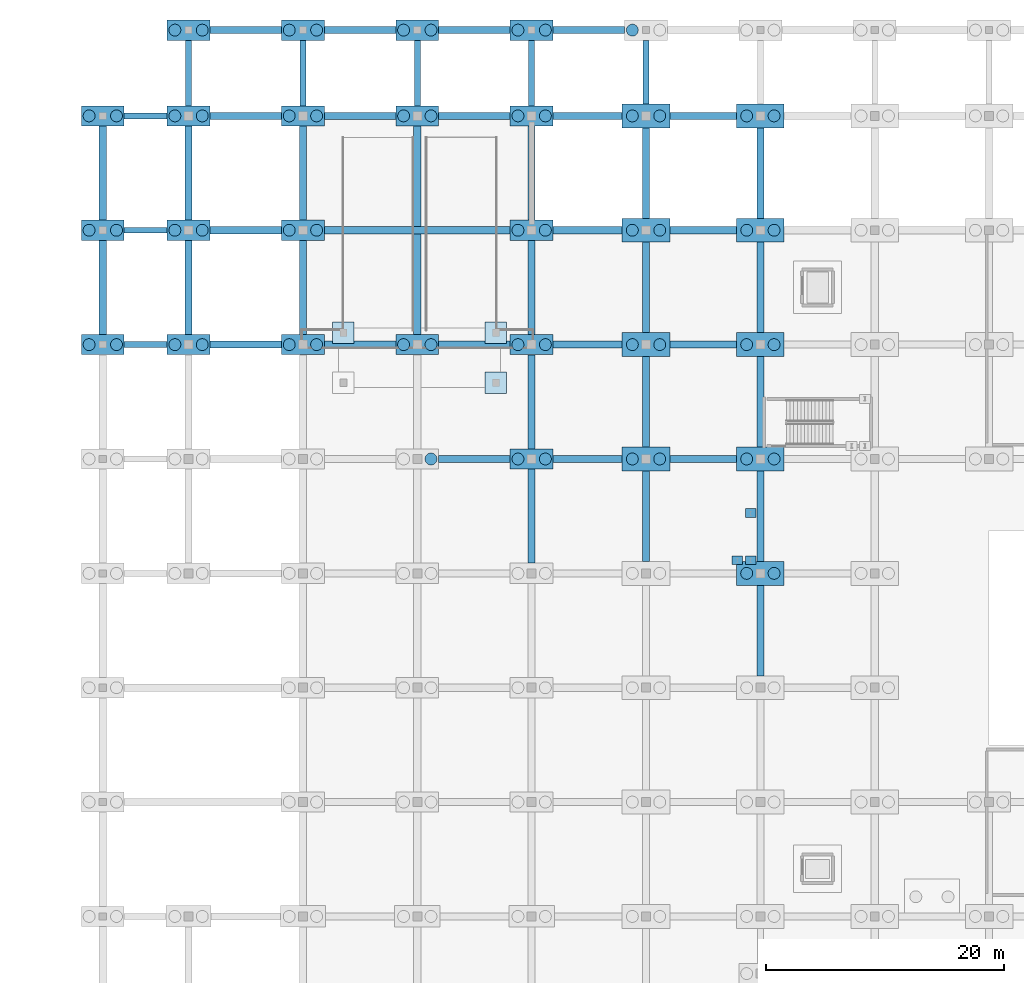
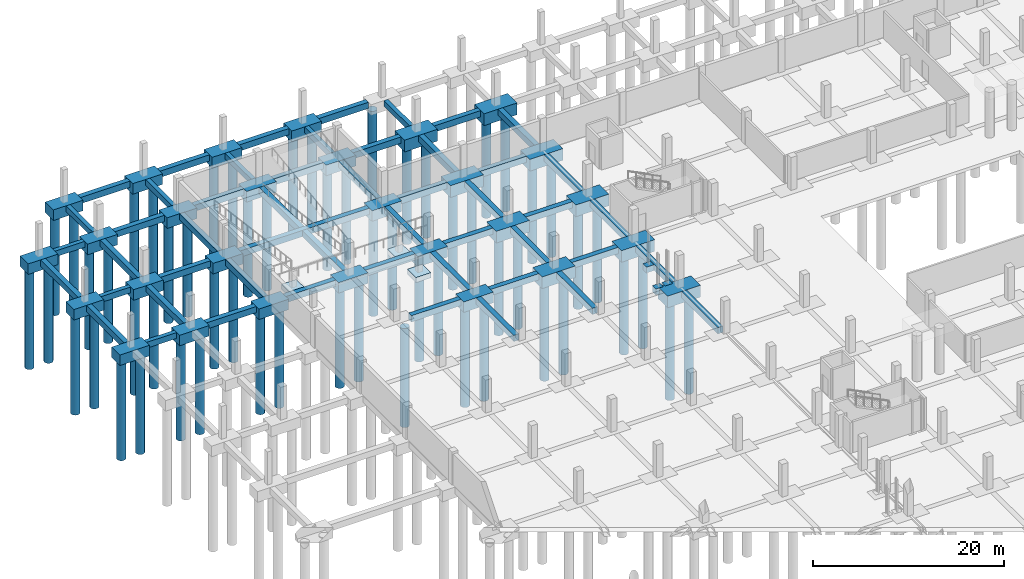
# One storey, part 6 of 54: 83 footings, 58 piles.
"""IFC4 building model written with IfcOpenShell, lengths in metres."""

import ifcopenshell
import ifcopenshell.guid

model = None  # the IFC model being written
_history = None  # IfcOwnerHistory: only IFC2X3 demands one
_inside = {}  # id of a spatial element -> (the spatial element, [elements in it])
_under = {}  # id of a project, library or spatial element -> (it, [spatial elements below it])
_declared = {}  # id of a project -> (the project, [libraries it declares])
_typed = {}  # id of a type object -> (the type object, [elements of that type])
_made_of = {}  # id of a material, layer set ... -> (it, [elements and type objects made of it])


def new_model(schema):
    """Start an empty IFC model of exactly this schema.

    Asked for "IFC4X3", IfcOpenShell would pick the latest addendum, in which some entities
    have other attributes; the version numbers below select the first issue.
    IFC2X3 requires an IfcOwnerHistory on every rooted entity: one is made here for all.
    """
    global model, _history
    if schema == "IFC4X3":
        model = ifcopenshell.file(schema_version=(4, 3, 0, 0))
    else:
        model = ifcopenshell.file(schema=schema)
    _inside.clear()
    _under.clear()
    _declared.clear()
    _typed.clear()
    _made_of.clear()
    _history = None
    if model.schema == "IFC2X3":
        org = make("IfcOrganization", Name="unknown")
        user = make(
            "IfcPersonAndOrganization",
            ThePerson=make("IfcPerson", FamilyName="unknown"),
            TheOrganization=org,
        )
        app = make(
            "IfcApplication",
            ApplicationDeveloper=org,
            Version="unknown",
            ApplicationFullName="unknown",
            ApplicationIdentifier="unknown",
        )
        _history = make(
            "IfcOwnerHistory",
            OwningUser=user,
            OwningApplication=app,
            ChangeAction="ADDED",
            CreationDate=0,
        )
    return model


def make(cls, **values):
    """One entity of the class cls with the attributes given. An attribute that is None is left unset."""
    return model.create_entity(
        cls, **{name: value for name, value in values.items() if value is not None}
    )


def rooted(cls, **values):
    """An entity with a GlobalId (a new one), such as an element, a storey or a relation."""
    return make(cls, GlobalId=ifcopenshell.guid.new(), OwnerHistory=_history, **values)


def si_unit(unit_type, name, prefix=None):
    """IfcSIUnit, for example si_unit("LENGTHUNIT", "METRE", prefix="MILLI")."""
    return make("IfcSIUnit", UnitType=unit_type, Prefix=prefix, Name=name)


def assignment(units):
    """IfcUnitAssignment: the units of a project."""
    return None if units is None else make("IfcUnitAssignment", Units=units)


def point(xyz):
    """IfcCartesianPoint."""
    return None if xyz is None else make("IfcCartesianPoint", Coordinates=xyz)


def direction(xyz):
    """IfcDirection."""
    return None if xyz is None else make("IfcDirection", DirectionRatios=xyz)


def frame(location, z_axis=None, x_axis=None):
    """IfcAxis2Placement3D, a coordinate frame: its origin and axes. An axis left out is left unset."""
    return make(
        "IfcAxis2Placement3D",
        Location=point(location),
        Axis=direction(z_axis),
        RefDirection=direction(x_axis),
    )


def frame_2d(location, x_axis=None):
    """IfcAxis2Placement2D, a coordinate frame in the plane: its origin and x axis."""
    return make(
        "IfcAxis2Placement2D", Location=point(location), RefDirection=direction(x_axis)
    )


def origin():
    """The frame at (0, 0, 0) with its axes left unset."""
    return frame((0.0, 0.0, 0.0))


def origin_2d():
    """The frame at (0, 0) in the plane with its x axis left unset."""
    return frame_2d((0.0, 0.0))


def place(relative_to, where):
    """IfcLocalPlacement: puts the frame where relative to a parent placement (None: the world)."""
    return make(
        "IfcLocalPlacement", PlacementRelTo=relative_to, RelativePlacement=where
    )


def context(
    kind, dimensions, precision=None, world=None, true_north=None, identifier=None
):
    """IfcGeometricRepresentationContext, for example the 3D "Model" context."""
    return make(
        "IfcGeometricRepresentationContext",
        ContextIdentifier=identifier,
        ContextType=kind,
        CoordinateSpaceDimension=dimensions,
        Precision=precision,
        WorldCoordinateSystem=world,
        TrueNorth=true_north,
    )


def subcontext(parent, identifier, kind, view, scale=None):
    """IfcGeometricRepresentationSubContext, for example "Body" below "Model"."""
    return make(
        "IfcGeometricRepresentationSubContext",
        ContextIdentifier=identifier,
        ContextType=kind,
        ParentContext=parent,
        TargetScale=scale,
        TargetView=view,
    )


def project(units=None, contexts=None):
    """IfcProject with its units and contexts."""
    return rooted(
        "IfcProject",
        Name="project",
        RepresentationContexts=contexts,
        UnitsInContext=assignment(units),
    )


def spatial(cls, under=None, at=None, **own):
    """A site, building, storey or space (cls), placed at a placement, below another one or the project."""
    s = rooted(cls, ObjectPlacement=at, **own)
    if under is not None:
        _under.setdefault(under.id(), (under, []))[1].append(s)
    return s


def profile(cls, at=None, kind="AREA", **sizes):
    """A parametric profile (cls). Its sizes go by their IFC names, for example OverallWidth=200.0."""
    return make(cls, ProfileType=kind, Position=at, **sizes)


def rectangle(**sizes):
    """IfcRectangleProfileDef."""
    return profile("IfcRectangleProfileDef", **sizes)


def circle(**sizes):
    """IfcCircleProfileDef."""
    return profile("IfcCircleProfileDef", **sizes)


def extrude(swept, where, along, depth):
    """IfcExtrudedAreaSolid: the profile swept, set in the frame where, extruded along a direction by depth."""
    return make(
        "IfcExtrudedAreaSolid",
        SweptArea=swept,
        Position=where,
        ExtrudedDirection=direction(along),
        Depth=depth,
    )


def shape(context_of_items, identifier, shape_type, items):
    """IfcShapeRepresentation: the items that make up one representation, for example the "Body"."""
    return make(
        "IfcShapeRepresentation",
        ContextOfItems=context_of_items,
        RepresentationIdentifier=identifier,
        RepresentationType=shape_type,
        Items=items,
    )


def material(Name=None, Category=None):
    """IfcMaterial."""
    return make("IfcMaterial", Name=Name, Category=Category)


def material_profile(
    of_material, cross_section, Name=None, Category=None, Priority=None
):
    """IfcMaterialProfile: a cross section and its material."""
    return make(
        "IfcMaterialProfile",
        Name=Name,
        Material=of_material,
        Profile=cross_section,
        Priority=Priority,
        Category=Category,
    )


def profile_set(profiles, Name=None, composite=None):
    """IfcMaterialProfileSet."""
    return make(
        "IfcMaterialProfileSet",
        Name=Name,
        MaterialProfiles=profiles,
        CompositeProfile=composite,
    )


def made_of(thing, what):
    """Note that an element or type object is made of a material, layer set ...; save() writes the relation."""
    if what is not None:
        _made_of.setdefault(what.id(), (what, []))[1].append(thing)
    return thing


def type_object(cls, material=None, **own):
    """A type object (cls), such as IfcWallType, which elements share."""
    return made_of(rooted(cls, **own), material)


def element(
    cls,
    number,
    at=None,
    inside=None,
    cuts=None,
    type_object=None,
    material=None,
    context=None,
    identifier="Body",
    shape_type=None,
    held_by="IfcProductDefinitionShape",
    body=None,
    shapes=None,
    **own,
):
    """One element of the class cls, such as IfcWall. Its Tag is "e" and its number.

    at: its placement. inside: the storey or other place that contains it. cuts: it is an
    opening in that element (IfcRelVoidsElement). A single representation is given by context,
    identifier, shape_type and body (its items); several are given by shapes. held_by: the class
    of the entity that holds the representations. save() writes the other relations.
    """
    e = rooted(cls, Tag="e%d" % number, ObjectPlacement=at, **own)
    if body is not None:
        shapes = [shape(context, identifier, shape_type, body)]
    if shapes is not None:
        e.Representation = make(held_by, Representations=shapes)
    if inside is not None:
        _inside.setdefault(inside.id(), (inside, []))[1].append(e)
    if cuts is not None:
        rooted(
            "IfcRelVoidsElement", RelatingBuildingElement=cuts, RelatedOpeningElement=e
        )
    if type_object is not None:
        _typed.setdefault(type_object.id(), (type_object, []))[1].append(e)
    return made_of(e, material)


def aggregate(whole, parts):
    """IfcRelAggregates: a whole, such as a stair, and the parts it consists of."""
    return rooted("IfcRelAggregates", RelatingObject=whole, RelatedObjects=parts)


def save(model, path):
    """Write the relations noted so far, then the file.

    IfcRelAggregates (storeys below a building ...), IfcRelContainedInSpatialStructure (elements
    in a storey), IfcRelDefinesByType, IfcRelAssociatesMaterial and IfcRelDeclares: one each for
    every whole, place, type object, material and project.
    """
    for whole, parts in _under.values():
        aggregate(whole, parts)
    for where, things in _inside.values():
        rooted(
            "IfcRelContainedInSpatialStructure",
            RelatedElements=things,
            RelatingStructure=where,
        )
    for kind, things in _typed.values():
        rooted("IfcRelDefinesByType", RelatedObjects=things, RelatingType=kind)
    for what, things in _made_of.values():
        rooted("IfcRelAssociatesMaterial", RelatedObjects=things, RelatingMaterial=what)
    for by, libraries in _declared.values():
        rooted("IfcRelDeclares", RelatingContext=by, RelatedDefinitions=libraries)
    model.write(path)


model = new_model("IFC4")

# Units and contexts
model_context = context("Model", 3, precision=1e-05, world=origin(), true_north=direction((0.0, 1.0)))
body_context = subcontext(model_context, "Body", "Model", "MODEL_VIEW")
ifc_project = project(units=[si_unit("LENGTHUNIT", "METRE"), si_unit("AREAUNIT", "SQUARE_METRE"), si_unit("VOLUMEUNIT", "CUBIC_METRE"), si_unit("PLANEANGLEUNIT", "RADIAN"), si_unit("MASSUNIT", "GRAM", prefix="KILO")], contexts=[model_context])

# Site, building, storey
site_placement = place(None, origin())
site = spatial("IfcSite", under=ifc_project, at=site_placement, CompositionType="ELEMENT")
building_placement = place(site_placement, origin())
building = spatial("IfcBuilding", under=site, at=building_placement, Name="Zevrakil Square Congress Hotel", CompositionType="ELEMENT")
storey_placement = place(building_placement, frame((0.0, 0.0, -8.39990234375)))
storey = spatial("IfcBuildingStorey", under=building, at=storey_placement, Name="B2", CompositionType="ELEMENT", Elevation=-8.39990234375)

# Footings
ifc_material_1 = material(Name="Concrete C35/45", Category="concrete")
footing_type_1 = type_object("IfcFootingType", Name="FTG-PAD-1800", PredefinedType="PAD_FOOTING", material=ifc_material_1)
for number, where, z_axis, x_axis, name in (
    (1, (33.0, 90.39990234375, -0.650146484375), (0.0, 0.0, 1.0), (1.0, 0.0, 0.0), "Vehicle ramp landing column footing 2"),
    (2, (20.199951171875, 94.60009765625, -0.650146484375), (0.0, 0.0, 1.0), (1.0, 0.0, 0.0), "Vehicle ramp landing column footing 3"),
    (3, (33.0, 94.60009765625, -0.650146484375), (0.0, 0.0, 1.0), (1.0, 0.0, 0.0), "Vehicle ramp landing column footing 4"),
):
    element("IfcFooting", number, at=place(storey_placement, frame(where, z_axis=z_axis, x_axis=x_axis)), inside=storey, type_object=footing_type_1, Name=name, PredefinedType="PAD_FOOTING", context=body_context, shape_type="SweptSolid", body=[
        extrude(rectangle(XDim=1.800048828125, YDim=1.800048828125, at=origin_2d()), origin(), (0.0, 0.0, 1.0), 0.64990234375),
    ])
ifc_material_2 = material(Name="Concrete C35/45", Category="concrete")
footing_type_2 = type_object("IfcFootingType", Name="FTG-PC2-360", PredefinedType="PILE_CAP", material=ifc_material_2)
for number, where, z_axis, x_axis, name in (
    (4, (0.0, 93.60009765625, -1.35009765625), (0.0, 0.0, 1.0), (1.0, 0.0, 0.0), "Pile cap PC2-011"),
    (5, (0.0, 103.199951171875, -1.35009765625), (0.0, 0.0, 1.0), (1.0, 0.0, 0.0), "Pile cap PC2-012"),
    (6, (0.0, 112.800048828125, -1.35009765625), (0.0, 0.0, 1.0), (1.0, 0.0, 0.0), "Pile cap PC2-013"),
    (7, (7.199951171875, 93.60009765625, -1.35009765625), (0.0, 0.0, 1.0), (1.0, 0.0, 0.0), "Pile cap PC2-024"),
    (8, (7.199951171875, 103.199951171875, -1.35009765625), (0.0, 0.0, 1.0), (1.0, 0.0, 0.0), "Pile cap PC2-025"),
    (9, (7.199951171875, 112.800048828125, -1.35009765625), (0.0, 0.0, 1.0), (1.0, 0.0, 0.0), "Pile cap PC2-026"),
    (10, (7.199951171875, 120.0, -1.35009765625), (0.0, 0.0, 1.0), (1.0, 0.0, 0.0), "Pile cap PC2-027"),
    (11, (16.800048828125, 93.60009765625, -1.35009765625), (0.0, 0.0, 1.0), (1.0, 0.0, 0.0), "Pile cap PC2-038"),
    (12, (16.800048828125, 103.199951171875, -1.35009765625), (0.0, 0.0, 1.0), (1.0, 0.0, 0.0), "Pile cap PC2-039"),
    (13, (16.800048828125, 112.800048828125, -1.35009765625), (0.0, 0.0, 1.0), (1.0, 0.0, 0.0), "Pile cap PC2-040"),
    (14, (16.800048828125, 120.0, -1.35009765625), (0.0, 0.0, 1.0), (1.0, 0.0, 0.0), "Pile cap PC2-041"),
    (15, (26.39990234375, 93.60009765625, -1.35009765625), (0.0, 0.0, 1.0), (1.0, 0.0, 0.0), "Pile cap PC2-052"),
    (16, (26.39990234375, 112.800048828125, -1.35009765625), (0.0, 0.0, 1.0), (1.0, 0.0, 0.0), "Pile cap PC2-054"),
    (17, (26.39990234375, 120.0, -1.35009765625), (0.0, 0.0, 1.0), (1.0, 0.0, 0.0), "Pile cap PC2-055"),
    (18, (36.0, 84.0, -1.35009765625), (0.0, 0.0, 1.0), (1.0, 0.0, 0.0), "Pile cap PC2-065"),
    (19, (36.0, 93.60009765625, -1.35009765625), (0.0, 0.0, 1.0), (1.0, 0.0, 0.0), "Pile cap PC2-066"),
    (20, (36.0, 103.199951171875, -1.35009765625), (0.0, 0.0, 1.0), (1.0, 0.0, 0.0), "Pile cap PC2-067"),
    (21, (36.0, 112.800048828125, -1.35009765625), (0.0, 0.0, 1.0), (1.0, 0.0, 0.0), "Pile cap PC2-068"),
    (22, (36.0, 120.0, -1.35009765625), (0.0, 0.0, 1.0), (1.0, 0.0, 0.0), "Pile cap PC2-069"),
):
    element("IfcFooting", number, at=place(storey_placement, frame(where, z_axis=z_axis, x_axis=x_axis)), inside=storey, type_object=footing_type_2, Name=name, PredefinedType="PILE_CAP", context=body_context, shape_type="SweptSolid", body=[
        extrude(rectangle(XDim=3.60009765625, YDim=1.699951171875, at=origin_2d()), origin(), (0.0, 0.0, 1.0), 1.35009765625),
    ])
ifc_material_3 = material(Name="Concrete C35/45", Category="concrete")
footing_type_3 = type_object("IfcFootingType", Name="FTG-PC2-400", PredefinedType="PILE_CAP", material=ifc_material_3)
for number, where, z_axis, x_axis, name in (
    (23, (45.60009765625, 84.0, -1.5), (0.0, 0.0, 1.0), (1.0, 0.0, 0.0), "Pile cap PC2-079"),
    (24, (45.60009765625, 93.60009765625, -1.5), (0.0, 0.0, 1.0), (1.0, 0.0, 0.0), "Pile cap PC2-080"),
    (25, (45.60009765625, 103.199951171875, -1.5), (0.0, 0.0, 1.0), (1.0, 0.0, 0.0), "Pile cap PC2-081"),
    (26, (45.60009765625, 112.800048828125, -1.5), (0.0, 0.0, 1.0), (1.0, 0.0, 0.0), "Pile cap PC2-082"),
    (27, (55.199951171875, 74.39990234375, -1.5), (0.0, 0.0, 1.0), (1.0, 0.0, 0.0), "Pile cap PC2-092"),
    (28, (55.199951171875, 84.0, -1.5), (0.0, 0.0, 1.0), (1.0, 0.0, 0.0), "Pile cap PC2-093"),
    (29, (55.199951171875, 93.60009765625, -1.5), (0.0, 0.0, 1.0), (1.0, 0.0, 0.0), "Pile cap PC2-094"),
    (30, (55.199951171875, 103.199951171875, -1.5), (0.0, 0.0, 1.0), (1.0, 0.0, 0.0), "Pile cap PC2-095"),
    (31, (55.199951171875, 112.800048828125, -1.5), (0.0, 0.0, 1.0), (1.0, 0.0, 0.0), "Pile cap PC2-096"),
):
    element("IfcFooting", number, at=place(storey_placement, frame(where, z_axis=z_axis, x_axis=x_axis)), inside=storey, type_object=footing_type_3, Name=name, PredefinedType="PILE_CAP", context=body_context, shape_type="SweptSolid", body=[
        extrude(rectangle(XDim=4.0, YDim=2.0, at=origin_2d()), origin(), (0.0, 0.0, 1.0), 1.5),
    ])
ifc_material_4 = material(Name="Concrete C35/45", Category="concrete")
ifc_material_profile_1 = material_profile(ifc_material_4, rectangle(XDim=0.75, YDim=0.75, at=origin_2d()), Name="RC 750x750")
ifc_profile_set_1 = profile_set([ifc_material_profile_1], Name="Concrete C35/45")
footing_type_4 = type_object("IfcFootingType", Name="FTG-STRIP-750", PredefinedType="STRIP_FOOTING", material=ifc_profile_set_1)
footing_1_placement = place(storey_placement, frame((52.800048828125, 75.5, -0.375), z_axis=(1.0, 0.0, 0.0), x_axis=(0.0, 1.0, 0.0)))
element("IfcFooting", 32, at=footing_1_placement, inside=storey, type_object=footing_type_4, Name="B2 stair post footing ST14-1", PredefinedType="STRIP_FOOTING", context=body_context, shape_type="SweptSolid", body=[
    extrude(rectangle(XDim=0.75, YDim=0.75, at=origin_2d()), origin(), (0.0, 0.0, 1.0), 0.89990234375),
])
for number, where, z_axis, x_axis, name in (
    (33, (53.929931640625, 75.5, -0.375), (1.0, 0.0, 0.0), (0.0, 1.0, 0.0), "B2 stair post footing ST14-2"),
    (34, (53.929931640625, 79.449951171875, -0.375), (1.0, 0.0, 0.0), (0.0, 1.0, 0.0), "B2 stair post footing ST14-3"),
):
    element("IfcFooting", number, at=place(storey_placement, frame(where, z_axis=z_axis, x_axis=x_axis)), inside=storey, type_object=footing_type_4, Name=name, PredefinedType="STRIP_FOOTING", context=body_context, shape_type="SweptSolid", body=[
        extrude(rectangle(XDim=0.75, YDim=0.75, at=origin_2d()), origin(), (0.0, 0.0, 1.0), 0.900146484375),
    ])
ifc_material_5 = material(Name="Concrete C35/45", Category="concrete")
ifc_material_profile_2 = material_profile(ifc_material_5, rectangle(XDim=0.5, YDim=0.75, at=origin_2d()), Name="RC 500x750")
ifc_profile_set_2 = profile_set([ifc_material_profile_2], Name="Concrete C35/45")
footing_type_5 = type_object("IfcFootingType", Name="FTG-TIE-500x750", PredefinedType="FOOTING_BEAM", material=ifc_profile_set_2)
for number, where, z_axis, x_axis, name in (
    (35, (1.800048828125, 93.60009765625, -0.375), (1.0, 0.0, 0.0), (0.0, 1.0, 0.0), "Ground tie beam GB-155"),
    (36, (1.800048828125, 103.199951171875, -0.375), (1.0, 0.0, 0.0), (0.0, 1.0, 0.0), "Ground tie beam GB-168"),
    (37, (1.800048828125, 112.800048828125, -0.375), (1.0, 0.0, 0.0), (0.0, 1.0, 0.0), "Ground tie beam GB-180"),
):
    element("IfcFooting", number, at=place(storey_placement, frame(where, z_axis=z_axis, x_axis=x_axis)), inside=storey, type_object=footing_type_5, Name=name, PredefinedType="FOOTING_BEAM", context=body_context, shape_type="SweptSolid", body=[
        extrude(rectangle(XDim=0.5, YDim=0.75, at=origin_2d()), origin(), (0.0, 0.0, 1.0), 3.599853515625),
    ])
for number, where, z_axis, x_axis, name in (
    (38, (7.199951171875, 113.64990234375, -0.375), (0.0, 1.0, 0.0), (-1.0, 0.0, 0.0), "Ground tie beam GB-236"),
    (39, (16.800048828125, 113.64990234375, -0.375), (0.0, 1.0, 0.0), (-1.0, 0.0, 0.0), "Ground tie beam GB-249"),
    (40, (26.39990234375, 113.64990234375, -0.375), (0.0, 1.0, 0.0), (-1.0, 0.0, 0.0), "Ground tie beam GB-261"),
    (41, (36.0, 113.64990234375, -0.375), (0.0, 1.0, 0.0), (-1.0, 0.0, 0.0), "Ground tie beam GB-274"),
):
    element("IfcFooting", number, at=place(storey_placement, frame(where, z_axis=z_axis, x_axis=x_axis)), inside=storey, type_object=footing_type_5, Name=name, PredefinedType="FOOTING_BEAM", context=body_context, shape_type="SweptSolid", body=[
        extrude(rectangle(XDim=0.5, YDim=0.75, at=origin_2d()), origin(), (0.0, 0.0, 1.0), 5.5),
    ])
footing_2_placement = place(storey_placement, frame((45.60009765625, 113.800048828125, -0.375), z_axis=(0.0, 1.0, 0.0), x_axis=(-1.0, 0.0, 0.0)))
element("IfcFooting", 42, at=footing_2_placement, inside=storey, type_object=footing_type_5, Name="Ground tie beam GB-287", PredefinedType="FOOTING_BEAM", context=body_context, shape_type="SweptSolid", body=[
    extrude(rectangle(XDim=0.5, YDim=0.75, at=origin_2d()), origin(), (0.0, 0.0, 1.0), 5.349853515625),
])
ifc_material_6 = material(Name="Concrete C35/45", Category="concrete")
ifc_material_profile_3 = material_profile(ifc_material_6, rectangle(XDim=0.60009765625, YDim=0.800048828125, at=origin_2d()), Name="RC 600x800")
ifc_profile_set_3 = profile_set([ifc_material_profile_3], Name="Concrete C35/45")
footing_type_6 = type_object("IfcFootingType", Name="FTG-TIE-600x800", PredefinedType="FOOTING_BEAM", material=ifc_profile_set_3)
footing_3_placement = place(storey_placement, frame((28.199951171875, 84.0, -0.400146484375), z_axis=(1.0, 0.0, 0.0), x_axis=(0.0, 1.0, 0.0)))
element("IfcFooting", 43, at=footing_3_placement, inside=storey, type_object=footing_type_6, Name="Ground tie beam GB-145", PredefinedType="FOOTING_BEAM", context=body_context, shape_type="SweptSolid", body=[
    extrude(rectangle(XDim=0.60009765625, YDim=0.800048828125, at=origin_2d()), origin(), (0.0, 0.0, 1.0), 6.0),
])
footing_4_placement = place(storey_placement, frame((37.800048828125, 84.0, -0.400146484375), z_axis=(1.0, 0.0, 0.0), x_axis=(0.0, 1.0, 0.0)))
element("IfcFooting", 44, at=footing_4_placement, inside=storey, type_object=footing_type_6, Name="Ground tie beam GB-146", PredefinedType="FOOTING_BEAM", context=body_context, shape_type="SweptSolid", body=[
    extrude(rectangle(XDim=0.60009765625, YDim=0.800048828125, at=origin_2d()), origin(), (0.0, 0.0, 1.0), 5.800048828125),
])
footing_5_placement = place(storey_placement, frame((47.60009765625, 84.0, -0.400146484375), z_axis=(1.0, 0.0, 0.0), x_axis=(0.0, 1.0, 0.0)))
element("IfcFooting", 45, at=footing_5_placement, inside=storey, type_object=footing_type_6, Name="Ground tie beam GB-147", PredefinedType="FOOTING_BEAM", context=body_context, shape_type="SweptSolid", body=[
    extrude(rectangle(XDim=0.60009765625, YDim=0.800048828125, at=origin_2d()), origin(), (0.0, 0.0, 1.0), 5.599853515625),
])
for number, where, z_axis, x_axis, name in (
    (46, (9.0, 93.60009765625, -0.400146484375), (1.0, 0.0, 0.0), (0.0, 1.0, 0.0), "Ground tie beam GB-156"),
    (47, (18.60009765625, 93.60009765625, -0.400146484375), (1.0, 0.0, 0.0), (0.0, 1.0, 0.0), "Ground tie beam GB-157"),
    (48, (28.199951171875, 93.60009765625, -0.400146484375), (1.0, 0.0, 0.0), (0.0, 1.0, 0.0), "Ground tie beam GB-158"),
):
    element("IfcFooting", number, at=place(storey_placement, frame(where, z_axis=z_axis, x_axis=x_axis)), inside=storey, type_object=footing_type_6, Name=name, PredefinedType="FOOTING_BEAM", context=body_context, shape_type="SweptSolid", body=[
        extrude(rectangle(XDim=0.60009765625, YDim=0.800048828125, at=origin_2d()), origin(), (0.0, 0.0, 1.0), 6.0),
    ])
footing_6_placement = place(storey_placement, frame((37.800048828125, 93.60009765625, -0.400146484375), z_axis=(1.0, 0.0, 0.0), x_axis=(0.0, 1.0, 0.0)))
element("IfcFooting", 49, at=footing_6_placement, inside=storey, type_object=footing_type_6, Name="Ground tie beam GB-159", PredefinedType="FOOTING_BEAM", context=body_context, shape_type="SweptSolid", body=[
    extrude(rectangle(XDim=0.60009765625, YDim=0.800048828125, at=origin_2d()), origin(), (0.0, 0.0, 1.0), 5.800048828125),
])
footing_7_placement = place(storey_placement, frame((47.60009765625, 93.60009765625, -0.400146484375), z_axis=(1.0, 0.0, 0.0), x_axis=(0.0, 1.0, 0.0)))
element("IfcFooting", 50, at=footing_7_placement, inside=storey, type_object=footing_type_6, Name="Ground tie beam GB-160", PredefinedType="FOOTING_BEAM", context=body_context, shape_type="SweptSolid", body=[
    extrude(rectangle(XDim=0.60009765625, YDim=0.800048828125, at=origin_2d()), origin(), (0.0, 0.0, 1.0), 5.599853515625),
])
footing_8_placement = place(storey_placement, frame((9.0, 103.199951171875, -0.400146484375), z_axis=(1.0, 0.0, 0.0), x_axis=(0.0, 1.0, 0.0)))
element("IfcFooting", 51, at=footing_8_placement, inside=storey, type_object=footing_type_6, Name="Ground tie beam GB-169", PredefinedType="FOOTING_BEAM", context=body_context, shape_type="SweptSolid", body=[
    extrude(rectangle(XDim=0.60009765625, YDim=0.800048828125, at=origin_2d()), origin(), (0.0, 0.0, 1.0), 6.0),
])
footing_9_placement = place(storey_placement, frame((18.60009765625, 103.199951171875, -0.400146484375), z_axis=(1.0, 0.0, 0.0), x_axis=(0.0, 1.0, 0.0)))
element("IfcFooting", 52, at=footing_9_placement, inside=storey, type_object=footing_type_6, Name="Ground tie beam GB-170", PredefinedType="FOOTING_BEAM", context=body_context, shape_type="SweptSolid", body=[
    extrude(rectangle(XDim=0.60009765625, YDim=0.800048828125, at=origin_2d()), origin(), (0.0, 0.0, 1.0), 15.599853515625),
])
footing_10_placement = place(storey_placement, frame((37.800048828125, 103.199951171875, -0.400146484375), z_axis=(1.0, 0.0, 0.0), x_axis=(0.0, 1.0, 0.0)))
element("IfcFooting", 53, at=footing_10_placement, inside=storey, type_object=footing_type_6, Name="Ground tie beam GB-171", PredefinedType="FOOTING_BEAM", context=body_context, shape_type="SweptSolid", body=[
    extrude(rectangle(XDim=0.60009765625, YDim=0.800048828125, at=origin_2d()), origin(), (0.0, 0.0, 1.0), 5.800048828125),
])
footing_11_placement = place(storey_placement, frame((47.60009765625, 103.199951171875, -0.400146484375), z_axis=(1.0, 0.0, 0.0), x_axis=(0.0, 1.0, 0.0)))
element("IfcFooting", 54, at=footing_11_placement, inside=storey, type_object=footing_type_6, Name="Ground tie beam GB-172", PredefinedType="FOOTING_BEAM", context=body_context, shape_type="SweptSolid", body=[
    extrude(rectangle(XDim=0.60009765625, YDim=0.800048828125, at=origin_2d()), origin(), (0.0, 0.0, 1.0), 5.599853515625),
])
for number, where, z_axis, x_axis, name in (
    (55, (9.0, 112.800048828125, -0.400146484375), (1.0, 0.0, 0.0), (0.0, 1.0, 0.0), "Ground tie beam GB-181"),
    (56, (18.60009765625, 112.800048828125, -0.400146484375), (1.0, 0.0, 0.0), (0.0, 1.0, 0.0), "Ground tie beam GB-182"),
    (57, (28.199951171875, 112.800048828125, -0.400146484375), (1.0, 0.0, 0.0), (0.0, 1.0, 0.0), "Ground tie beam GB-183"),
):
    element("IfcFooting", number, at=place(storey_placement, frame(where, z_axis=z_axis, x_axis=x_axis)), inside=storey, type_object=footing_type_6, Name=name, PredefinedType="FOOTING_BEAM", context=body_context, shape_type="SweptSolid", body=[
        extrude(rectangle(XDim=0.60009765625, YDim=0.800048828125, at=origin_2d()), origin(), (0.0, 0.0, 1.0), 6.0),
    ])
footing_12_placement = place(storey_placement, frame((37.800048828125, 112.800048828125, -0.400146484375), z_axis=(1.0, 0.0, 0.0), x_axis=(0.0, 1.0, 0.0)))
element("IfcFooting", 58, at=footing_12_placement, inside=storey, type_object=footing_type_6, Name="Ground tie beam GB-184", PredefinedType="FOOTING_BEAM", context=body_context, shape_type="SweptSolid", body=[
    extrude(rectangle(XDim=0.60009765625, YDim=0.800048828125, at=origin_2d()), origin(), (0.0, 0.0, 1.0), 5.800048828125),
])
footing_13_placement = place(storey_placement, frame((47.60009765625, 112.800048828125, -0.400146484375), z_axis=(1.0, 0.0, 0.0), x_axis=(0.0, 1.0, 0.0)))
element("IfcFooting", 59, at=footing_13_placement, inside=storey, type_object=footing_type_6, Name="Ground tie beam GB-185", PredefinedType="FOOTING_BEAM", context=body_context, shape_type="SweptSolid", body=[
    extrude(rectangle(XDim=0.60009765625, YDim=0.800048828125, at=origin_2d()), origin(), (0.0, 0.0, 1.0), 5.599853515625),
])
for number, where, z_axis, x_axis, name in (
    (60, (9.0, 120.0, -0.400146484375), (1.0, 0.0, 0.0), (0.0, 1.0, 0.0), "Ground tie beam GB-198"),
    (61, (18.60009765625, 120.0, -0.400146484375), (1.0, 0.0, 0.0), (0.0, 1.0, 0.0), "Ground tie beam GB-199"),
    (62, (28.199951171875, 120.0, -0.400146484375), (1.0, 0.0, 0.0), (0.0, 1.0, 0.0), "Ground tie beam GB-200"),
    (63, (37.800048828125, 120.0, -0.400146484375), (1.0, 0.0, 0.0), (0.0, 1.0, 0.0), "Ground tie beam GB-201"),
):
    element("IfcFooting", number, at=place(storey_placement, frame(where, z_axis=z_axis, x_axis=x_axis)), inside=storey, type_object=footing_type_6, Name=name, PredefinedType="FOOTING_BEAM", context=body_context, shape_type="SweptSolid", body=[
        extrude(rectangle(XDim=0.60009765625, YDim=0.800048828125, at=origin_2d()), origin(), (0.0, 0.0, 1.0), 6.0),
    ])
footing_14_placement = place(storey_placement, frame((0.0, 94.449951171875, -0.400146484375), z_axis=(0.0, 1.0, 0.0), x_axis=(-1.0, 0.0, 0.0)))
element("IfcFooting", 64, at=footing_14_placement, inside=storey, type_object=footing_type_6, Name="Ground tie beam GB-225", PredefinedType="FOOTING_BEAM", context=body_context, shape_type="SweptSolid", body=[
    extrude(rectangle(XDim=0.60009765625, YDim=0.800048828125, at=origin_2d()), origin(), (0.0, 0.0, 1.0), 7.900146484375),
])
footing_15_placement = place(storey_placement, frame((0.0, 104.050048828125, -0.400146484375), z_axis=(0.0, 1.0, 0.0), x_axis=(-1.0, 0.0, 0.0)))
element("IfcFooting", 65, at=footing_15_placement, inside=storey, type_object=footing_type_6, Name="Ground tie beam GB-226", PredefinedType="FOOTING_BEAM", context=body_context, shape_type="SweptSolid", body=[
    extrude(rectangle(XDim=0.60009765625, YDim=0.800048828125, at=origin_2d()), origin(), (0.0, 0.0, 1.0), 7.89990234375),
])
footing_16_placement = place(storey_placement, frame((7.199951171875, 94.449951171875, -0.400146484375), z_axis=(0.0, 1.0, 0.0), x_axis=(-1.0, 0.0, 0.0)))
element("IfcFooting", 66, at=footing_16_placement, inside=storey, type_object=footing_type_6, Name="Ground tie beam GB-234", PredefinedType="FOOTING_BEAM", context=body_context, shape_type="SweptSolid", body=[
    extrude(rectangle(XDim=0.60009765625, YDim=0.800048828125, at=origin_2d()), origin(), (0.0, 0.0, 1.0), 7.900146484375),
])
footing_17_placement = place(storey_placement, frame((7.199951171875, 104.050048828125, -0.400146484375), z_axis=(0.0, 1.0, 0.0), x_axis=(-1.0, 0.0, 0.0)))
element("IfcFooting", 67, at=footing_17_placement, inside=storey, type_object=footing_type_6, Name="Ground tie beam GB-235", PredefinedType="FOOTING_BEAM", context=body_context, shape_type="SweptSolid", body=[
    extrude(rectangle(XDim=0.60009765625, YDim=0.800048828125, at=origin_2d()), origin(), (0.0, 0.0, 1.0), 7.89990234375),
])
footing_18_placement = place(storey_placement, frame((16.800048828125, 94.449951171875, -0.400146484375), z_axis=(0.0, 1.0, 0.0), x_axis=(-1.0, 0.0, 0.0)))
element("IfcFooting", 68, at=footing_18_placement, inside=storey, type_object=footing_type_6, Name="Ground tie beam GB-247", PredefinedType="FOOTING_BEAM", context=body_context, shape_type="SweptSolid", body=[
    extrude(rectangle(XDim=0.60009765625, YDim=0.800048828125, at=origin_2d()), origin(), (0.0, 0.0, 1.0), 7.900146484375),
])
footing_19_placement = place(storey_placement, frame((16.800048828125, 104.050048828125, -0.400146484375), z_axis=(0.0, 1.0, 0.0), x_axis=(-1.0, 0.0, 0.0)))
element("IfcFooting", 69, at=footing_19_placement, inside=storey, type_object=footing_type_6, Name="Ground tie beam GB-248", PredefinedType="FOOTING_BEAM", context=body_context, shape_type="SweptSolid", body=[
    extrude(rectangle(XDim=0.60009765625, YDim=0.800048828125, at=origin_2d()), origin(), (0.0, 0.0, 1.0), 7.89990234375),
])
footing_20_placement = place(storey_placement, frame((26.39990234375, 94.449951171875, -0.400146484375), z_axis=(0.0, 1.0, 0.0), x_axis=(-1.0, 0.0, 0.0)))
element("IfcFooting", 70, at=footing_20_placement, inside=storey, type_object=footing_type_6, Name="Ground tie beam GB-260", PredefinedType="FOOTING_BEAM", context=body_context, shape_type="SweptSolid", body=[
    extrude(rectangle(XDim=0.60009765625, YDim=0.800048828125, at=origin_2d()), origin(), (0.0, 0.0, 1.0), 17.5),
])
for number, where, z_axis, x_axis, name in (
    (71, (36.0, 75.25, -0.400146484375), (0.0, 1.0, 0.0), (-1.0, 0.0, 0.0), "Ground tie beam GB-270"),
    (72, (36.0, 84.85009765625, -0.400146484375), (0.0, 1.0, 0.0), (-1.0, 0.0, 0.0), "Ground tie beam GB-271"),
):
    element("IfcFooting", number, at=place(storey_placement, frame(where, z_axis=z_axis, x_axis=x_axis)), inside=storey, type_object=footing_type_6, Name=name, PredefinedType="FOOTING_BEAM", context=body_context, shape_type="SweptSolid", body=[
        extrude(rectangle(XDim=0.60009765625, YDim=0.800048828125, at=origin_2d()), origin(), (0.0, 0.0, 1.0), 7.89990234375),
    ])
footing_21_placement = place(storey_placement, frame((36.0, 94.449951171875, -0.400146484375), z_axis=(0.0, 1.0, 0.0), x_axis=(-1.0, 0.0, 0.0)))
element("IfcFooting", 73, at=footing_21_placement, inside=storey, type_object=footing_type_6, Name="Ground tie beam GB-272", PredefinedType="FOOTING_BEAM", context=body_context, shape_type="SweptSolid", body=[
    extrude(rectangle(XDim=0.60009765625, YDim=0.800048828125, at=origin_2d()), origin(), (0.0, 0.0, 1.0), 7.900146484375),
])
footing_22_placement = place(storey_placement, frame((36.0, 104.050048828125, -0.400146484375), z_axis=(0.0, 1.0, 0.0), x_axis=(-1.0, 0.0, 0.0)))
element("IfcFooting", 74, at=footing_22_placement, inside=storey, type_object=footing_type_6, Name="Ground tie beam GB-273", PredefinedType="FOOTING_BEAM", context=body_context, shape_type="SweptSolid", body=[
    extrude(rectangle(XDim=0.60009765625, YDim=0.800048828125, at=origin_2d()), origin(), (0.0, 0.0, 1.0), 7.89990234375),
])
for number, where, z_axis, x_axis, name in (
    (75, (45.60009765625, 75.39990234375, -0.400146484375), (0.0, 1.0, 0.0), (-1.0, 0.0, 0.0), "Ground tie beam GB-283"),
    (76, (45.60009765625, 85.0, -0.400146484375), (0.0, 1.0, 0.0), (-1.0, 0.0, 0.0), "Ground tie beam GB-284"),
):
    element("IfcFooting", number, at=place(storey_placement, frame(where, z_axis=z_axis, x_axis=x_axis)), inside=storey, type_object=footing_type_6, Name=name, PredefinedType="FOOTING_BEAM", context=body_context, shape_type="SweptSolid", body=[
        extrude(rectangle(XDim=0.60009765625, YDim=0.800048828125, at=origin_2d()), origin(), (0.0, 0.0, 1.0), 7.60009765625),
    ])
footing_23_placement = place(storey_placement, frame((45.60009765625, 94.60009765625, -0.400146484375), z_axis=(0.0, 1.0, 0.0), x_axis=(-1.0, 0.0, 0.0)))
element("IfcFooting", 77, at=footing_23_placement, inside=storey, type_object=footing_type_6, Name="Ground tie beam GB-285", PredefinedType="FOOTING_BEAM", context=body_context, shape_type="SweptSolid", body=[
    extrude(rectangle(XDim=0.60009765625, YDim=0.800048828125, at=origin_2d()), origin(), (0.0, 0.0, 1.0), 7.599853515625),
])
footing_24_placement = place(storey_placement, frame((45.60009765625, 104.199951171875, -0.400146484375), z_axis=(0.0, 1.0, 0.0), x_axis=(-1.0, 0.0, 0.0)))
element("IfcFooting", 78, at=footing_24_placement, inside=storey, type_object=footing_type_6, Name="Ground tie beam GB-286", PredefinedType="FOOTING_BEAM", context=body_context, shape_type="SweptSolid", body=[
    extrude(rectangle(XDim=0.60009765625, YDim=0.800048828125, at=origin_2d()), origin(), (0.0, 0.0, 1.0), 7.60009765625),
])
footing_25_placement = place(storey_placement, frame((55.199951171875, 65.800048828125, -0.400146484375), z_axis=(0.0, 1.0, 0.0), x_axis=(-1.0, 0.0, 0.0)))
element("IfcFooting", 79, at=footing_25_placement, inside=storey, type_object=footing_type_6, Name="Ground tie beam GB-299", PredefinedType="FOOTING_BEAM", context=body_context, shape_type="SweptSolid", body=[
    extrude(rectangle(XDim=0.60009765625, YDim=0.800048828125, at=origin_2d()), origin(), (0.0, 0.0, 1.0), 7.599853515625),
])
for number, where, z_axis, x_axis, name in (
    (80, (55.199951171875, 75.39990234375, -0.400146484375), (0.0, 1.0, 0.0), (-1.0, 0.0, 0.0), "Ground tie beam GB-300"),
    (81, (55.199951171875, 85.0, -0.400146484375), (0.0, 1.0, 0.0), (-1.0, 0.0, 0.0), "Ground tie beam GB-301"),
):
    element("IfcFooting", number, at=place(storey_placement, frame(where, z_axis=z_axis, x_axis=x_axis)), inside=storey, type_object=footing_type_6, Name=name, PredefinedType="FOOTING_BEAM", context=body_context, shape_type="SweptSolid", body=[
        extrude(rectangle(XDim=0.60009765625, YDim=0.800048828125, at=origin_2d()), origin(), (0.0, 0.0, 1.0), 7.60009765625),
    ])
footing_26_placement = place(storey_placement, frame((55.199951171875, 94.60009765625, -0.400146484375), z_axis=(0.0, 1.0, 0.0), x_axis=(-1.0, 0.0, 0.0)))
element("IfcFooting", 82, at=footing_26_placement, inside=storey, type_object=footing_type_6, Name="Ground tie beam GB-302", PredefinedType="FOOTING_BEAM", context=body_context, shape_type="SweptSolid", body=[
    extrude(rectangle(XDim=0.60009765625, YDim=0.800048828125, at=origin_2d()), origin(), (0.0, 0.0, 1.0), 7.599853515625),
])
footing_27_placement = place(storey_placement, frame((55.199951171875, 104.199951171875, -0.400146484375), z_axis=(0.0, 1.0, 0.0), x_axis=(-1.0, 0.0, 0.0)))
element("IfcFooting", 83, at=footing_27_placement, inside=storey, type_object=footing_type_6, Name="Ground tie beam GB-303", PredefinedType="FOOTING_BEAM", context=body_context, shape_type="SweptSolid", body=[
    extrude(rectangle(XDim=0.60009765625, YDim=0.800048828125, at=origin_2d()), origin(), (0.0, 0.0, 1.0), 7.60009765625),
])

# Piles
ifc_material_7 = material(Name="Concrete C35/45", Category="concrete")
ifc_material_profile_4 = material_profile(ifc_material_7, circle(Radius=0.5, at=origin_2d()), Name="PILE D1000")
ifc_profile_set_4 = profile_set([ifc_material_profile_4], Name="Concrete C35/45")
pile_type = type_object("IfcPileType", Name="PILE-BORED-1000", PredefinedType="BORED", material=ifc_profile_set_4)
for number, where, z_axis, x_axis, name in (
    (84, (-1.14990234375, 93.60009765625, -1.25), (0.0, 0.0, -1.0), (1.0, 0.0, 0.0), "Bored pile PC2-011-1"),
    (85, (1.14990234375, 93.60009765625, -1.25), (0.0, 0.0, -1.0), (1.0, 0.0, 0.0), "Bored pile PC2-011-2"),
    (86, (-1.14990234375, 103.199951171875, -1.25), (0.0, 0.0, -1.0), (1.0, 0.0, 0.0), "Bored pile PC2-012-1"),
    (87, (1.14990234375, 103.199951171875, -1.25), (0.0, 0.0, -1.0), (1.0, 0.0, 0.0), "Bored pile PC2-012-2"),
    (88, (-1.14990234375, 112.800048828125, -1.25), (0.0, 0.0, -1.0), (1.0, 0.0, 0.0), "Bored pile PC2-013-1"),
    (89, (1.14990234375, 112.800048828125, -1.25), (0.0, 0.0, -1.0), (1.0, 0.0, 0.0), "Bored pile PC2-013-2"),
    (90, (6.050048828125, 93.60009765625, -1.25), (0.0, 0.0, -1.0), (1.0, 0.0, 0.0), "Bored pile PC2-024-1"),
    (91, (8.35009765625, 93.60009765625, -1.25), (0.0, 0.0, -1.0), (1.0, 0.0, 0.0), "Bored pile PC2-024-2"),
    (92, (6.050048828125, 103.199951171875, -1.25), (0.0, 0.0, -1.0), (1.0, 0.0, 0.0), "Bored pile PC2-025-1"),
    (93, (8.35009765625, 103.199951171875, -1.25), (0.0, 0.0, -1.0), (1.0, 0.0, 0.0), "Bored pile PC2-025-2"),
    (94, (6.050048828125, 112.800048828125, -1.25), (0.0, 0.0, -1.0), (1.0, 0.0, 0.0), "Bored pile PC2-026-1"),
    (95, (8.35009765625, 112.800048828125, -1.25), (0.0, 0.0, -1.0), (1.0, 0.0, 0.0), "Bored pile PC2-026-2"),
    (96, (6.050048828125, 120.0, -1.25), (0.0, 0.0, -1.0), (1.0, 0.0, 0.0), "Bored pile PC2-027-1"),
    (97, (8.35009765625, 120.0, -1.25), (0.0, 0.0, -1.0), (1.0, 0.0, 0.0), "Bored pile PC2-027-2"),
    (98, (15.64990234375, 93.60009765625, -1.25), (0.0, 0.0, -1.0), (1.0, 0.0, 0.0), "Bored pile PC2-038-1"),
    (99, (17.949951171875, 93.60009765625, -1.25), (0.0, 0.0, -1.0), (1.0, 0.0, 0.0), "Bored pile PC2-038-2"),
    (100, (15.64990234375, 103.199951171875, -1.25), (0.0, 0.0, -1.0), (1.0, 0.0, 0.0), "Bored pile PC2-039-1"),
    (101, (17.949951171875, 103.199951171875, -1.25), (0.0, 0.0, -1.0), (1.0, 0.0, 0.0), "Bored pile PC2-039-2"),
    (102, (15.64990234375, 112.800048828125, -1.25), (0.0, 0.0, -1.0), (1.0, 0.0, 0.0), "Bored pile PC2-040-1"),
    (103, (17.949951171875, 112.800048828125, -1.25), (0.0, 0.0, -1.0), (1.0, 0.0, 0.0), "Bored pile PC2-040-2"),
    (104, (15.64990234375, 120.0, -1.25), (0.0, 0.0, -1.0), (1.0, 0.0, 0.0), "Bored pile PC2-041-1"),
    (105, (17.949951171875, 120.0, -1.25), (0.0, 0.0, -1.0), (1.0, 0.0, 0.0), "Bored pile PC2-041-2"),
    (106, (27.550048828125, 84.0, -1.25), (0.0, 0.0, -1.0), (1.0, 0.0, 0.0), "Bored pile PC2-051-2"),
    (107, (25.25, 93.60009765625, -1.25), (0.0, 0.0, -1.0), (1.0, 0.0, 0.0), "Bored pile PC2-052-1"),
    (108, (27.550048828125, 93.60009765625, -1.25), (0.0, 0.0, -1.0), (1.0, 0.0, 0.0), "Bored pile PC2-052-2"),
    (109, (25.25, 112.800048828125, -1.25), (0.0, 0.0, -1.0), (1.0, 0.0, 0.0), "Bored pile PC2-054-1"),
    (110, (27.550048828125, 112.800048828125, -1.25), (0.0, 0.0, -1.0), (1.0, 0.0, 0.0), "Bored pile PC2-054-2"),
    (111, (25.25, 120.0, -1.25), (0.0, 0.0, -1.0), (1.0, 0.0, 0.0), "Bored pile PC2-055-1"),
    (112, (27.550048828125, 120.0, -1.25), (0.0, 0.0, -1.0), (1.0, 0.0, 0.0), "Bored pile PC2-055-2"),
    (113, (34.85009765625, 84.0, -1.25), (0.0, 0.0, -1.0), (1.0, 0.0, 0.0), "Bored pile PC2-065-1"),
    (114, (37.14990234375, 84.0, -1.25), (0.0, 0.0, -1.0), (1.0, 0.0, 0.0), "Bored pile PC2-065-2"),
    (115, (34.85009765625, 93.60009765625, -1.25), (0.0, 0.0, -1.0), (1.0, 0.0, 0.0), "Bored pile PC2-066-1"),
    (116, (37.14990234375, 93.60009765625, -1.25), (0.0, 0.0, -1.0), (1.0, 0.0, 0.0), "Bored pile PC2-066-2"),
    (117, (34.85009765625, 103.199951171875, -1.25), (0.0, 0.0, -1.0), (1.0, 0.0, 0.0), "Bored pile PC2-067-1"),
    (118, (37.14990234375, 103.199951171875, -1.25), (0.0, 0.0, -1.0), (1.0, 0.0, 0.0), "Bored pile PC2-067-2"),
    (119, (34.85009765625, 112.800048828125, -1.25), (0.0, 0.0, -1.0), (1.0, 0.0, 0.0), "Bored pile PC2-068-1"),
    (120, (37.14990234375, 112.800048828125, -1.25), (0.0, 0.0, -1.0), (1.0, 0.0, 0.0), "Bored pile PC2-068-2"),
    (121, (34.85009765625, 120.0, -1.25), (0.0, 0.0, -1.0), (1.0, 0.0, 0.0), "Bored pile PC2-069-1"),
    (122, (37.14990234375, 120.0, -1.25), (0.0, 0.0, -1.0), (1.0, 0.0, 0.0), "Bored pile PC2-069-2"),
):
    element("IfcPile", number, at=place(storey_placement, frame(where, z_axis=z_axis, x_axis=x_axis)), inside=storey, type_object=pile_type, Name=name, PredefinedType="BORED", context=body_context, shape_type="SweptSolid", body=[
        extrude(circle(Radius=0.5, at=origin_2d()), origin(), (0.0, 0.0, 1.0), 12.64990234375),
    ])
for number, where, z_axis, x_axis, name in (
    (123, (44.449951171875, 84.0, -1.400146484375), (0.0, 0.0, -1.0), (1.0, 0.0, 0.0), "Bored pile PC2-079-1"),
    (124, (46.75, 84.0, -1.400146484375), (0.0, 0.0, -1.0), (1.0, 0.0, 0.0), "Bored pile PC2-079-2"),
    (125, (44.449951171875, 93.60009765625, -1.400146484375), (0.0, 0.0, -1.0), (1.0, 0.0, 0.0), "Bored pile PC2-080-1"),
    (126, (46.75, 93.60009765625, -1.400146484375), (0.0, 0.0, -1.0), (1.0, 0.0, 0.0), "Bored pile PC2-080-2"),
    (127, (44.449951171875, 103.199951171875, -1.400146484375), (0.0, 0.0, -1.0), (1.0, 0.0, 0.0), "Bored pile PC2-081-1"),
    (128, (46.75, 103.199951171875, -1.400146484375), (0.0, 0.0, -1.0), (1.0, 0.0, 0.0), "Bored pile PC2-081-2"),
    (129, (44.449951171875, 112.800048828125, -1.400146484375), (0.0, 0.0, -1.0), (1.0, 0.0, 0.0), "Bored pile PC2-082-1"),
    (130, (46.75, 112.800048828125, -1.400146484375), (0.0, 0.0, -1.0), (1.0, 0.0, 0.0), "Bored pile PC2-082-2"),
):
    element("IfcPile", number, at=place(storey_placement, frame(where, z_axis=z_axis, x_axis=x_axis)), inside=storey, type_object=pile_type, Name=name, PredefinedType="BORED", context=body_context, shape_type="SweptSolid", body=[
        extrude(circle(Radius=0.5, at=origin_2d()), origin(), (0.0, 0.0, 1.0), 12.5),
    ])
pile_placement = place(storey_placement, frame((44.449951171875, 120.0, -1.25), z_axis=(0.0, 0.0, -1.0), x_axis=(1.0, 0.0, 0.0)))
element("IfcPile", 131, at=pile_placement, inside=storey, type_object=pile_type, Name="Bored pile PC2-083-1", PredefinedType="BORED", context=body_context, shape_type="SweptSolid", body=[
    extrude(circle(Radius=0.5, at=origin_2d()), origin(), (0.0, 0.0, 1.0), 12.64990234375),
])
for number, where, z_axis, x_axis, name in (
    (132, (54.050048828125, 74.39990234375, -1.400146484375), (0.0, 0.0, -1.0), (1.0, 0.0, 0.0), "Bored pile PC2-092-1"),
    (133, (56.35009765625, 74.39990234375, -1.400146484375), (0.0, 0.0, -1.0), (1.0, 0.0, 0.0), "Bored pile PC2-092-2"),
    (134, (54.050048828125, 84.0, -1.400146484375), (0.0, 0.0, -1.0), (1.0, 0.0, 0.0), "Bored pile PC2-093-1"),
    (135, (56.35009765625, 84.0, -1.400146484375), (0.0, 0.0, -1.0), (1.0, 0.0, 0.0), "Bored pile PC2-093-2"),
    (136, (54.050048828125, 93.60009765625, -1.400146484375), (0.0, 0.0, -1.0), (1.0, 0.0, 0.0), "Bored pile PC2-094-1"),
    (137, (56.35009765625, 93.60009765625, -1.400146484375), (0.0, 0.0, -1.0), (1.0, 0.0, 0.0), "Bored pile PC2-094-2"),
    (138, (54.050048828125, 103.199951171875, -1.400146484375), (0.0, 0.0, -1.0), (1.0, 0.0, 0.0), "Bored pile PC2-095-1"),
    (139, (56.35009765625, 103.199951171875, -1.400146484375), (0.0, 0.0, -1.0), (1.0, 0.0, 0.0), "Bored pile PC2-095-2"),
    (140, (54.050048828125, 112.800048828125, -1.400146484375), (0.0, 0.0, -1.0), (1.0, 0.0, 0.0), "Bored pile PC2-096-1"),
    (141, (56.35009765625, 112.800048828125, -1.400146484375), (0.0, 0.0, -1.0), (1.0, 0.0, 0.0), "Bored pile PC2-096-2"),
):
    element("IfcPile", number, at=place(storey_placement, frame(where, z_axis=z_axis, x_axis=x_axis)), inside=storey, type_object=pile_type, Name=name, PredefinedType="BORED", context=body_context, shape_type="SweptSolid", body=[
        extrude(circle(Radius=0.5, at=origin_2d()), origin(), (0.0, 0.0, 1.0), 12.5),
    ])

save(model, "model.ifc")
